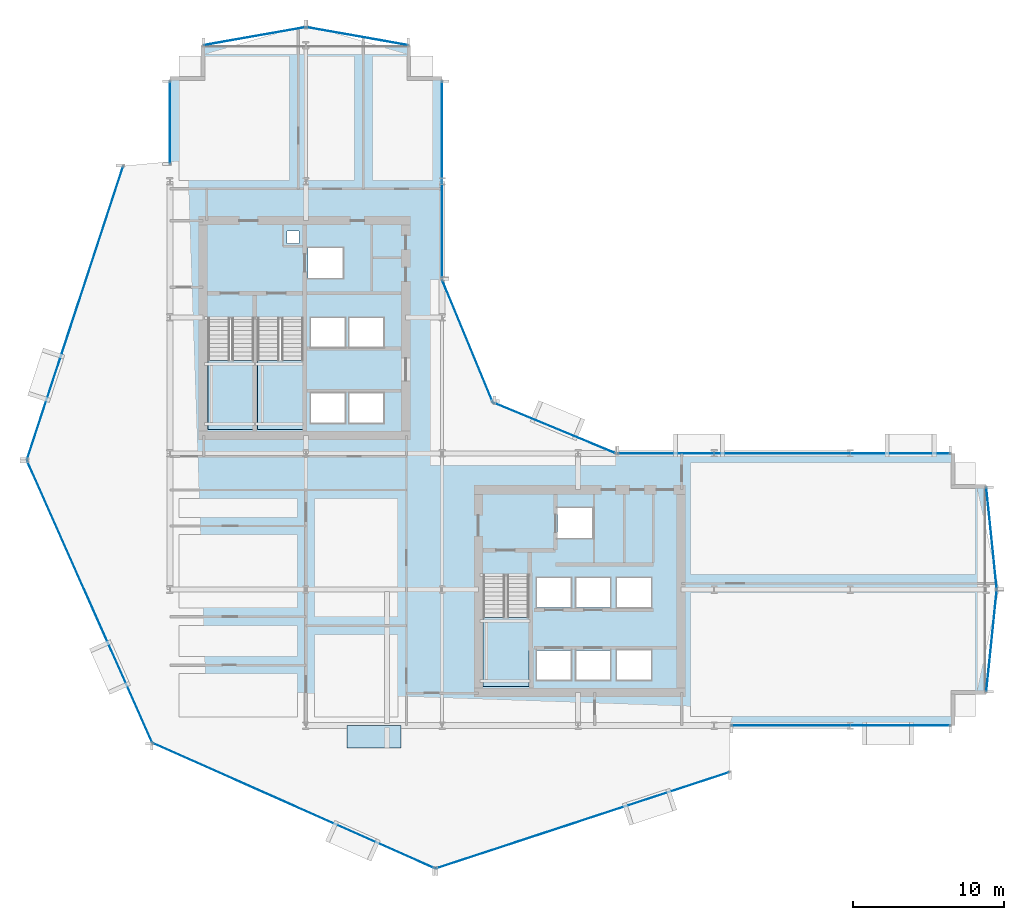
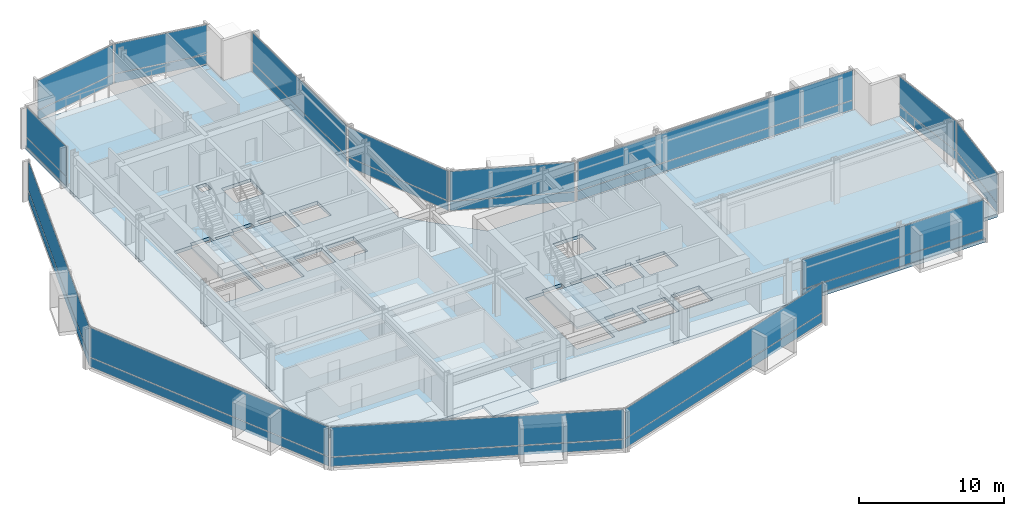
# One storey, part 26 of 34: 28 plates, 5 slabs, 17 elements without a shape of their own.
"""IFC4 building model written with IfcOpenShell, lengths in metres."""

from ifc_helpers import new_model, si_unit, direction, frame, origin, origin_2d, place, context, subcontext, project, spatial, polyline, rectangle, outline, extrude, material, layer, layer_set, type_object, element, aggregate, save


model = new_model("IFC4")

# Units and contexts
model_context = context("Model", 3, precision=1e-05, world=origin(), true_north=direction((0.0, 1.0)))
body_context = subcontext(model_context, "Body", "Model", "MODEL_VIEW")
ifc_project = project(units=[si_unit("LENGTHUNIT", "METRE"), si_unit("AREAUNIT", "SQUARE_METRE"), si_unit("VOLUMEUNIT", "CUBIC_METRE"), si_unit("PLANEANGLEUNIT", "RADIAN"), si_unit("MASSUNIT", "GRAM", prefix="KILO")], contexts=[model_context])

# Site, building, storey
site_placement = place(None, origin())
site = spatial("IfcSite", under=ifc_project, at=site_placement, CompositionType="ELEMENT")
building_placement = place(site_placement, origin())
building = spatial("IfcBuilding", under=site, at=building_placement, Name="Solvaryn Broadcast Tower", CompositionType="ELEMENT")
storey_placement = place(building_placement, frame((0.0, 0.0, 65.60009765625)))
storey = spatial("IfcBuildingStorey", under=building, at=storey_placement, Name="L15", CompositionType="ELEMENT", Elevation=65.60009765625)

# Curtain wall, plates
ifc_material_1 = material(Name="Aluminium and Terracotta Unitised Curtain Wall", Category="masonry")
ifc_layer_1 = layer(ifc_material_1, 0.199951171875)
ifc_layer_set_1 = layer_set([ifc_layer_1], Name="CW-SYS2-LOWMID")
curtain_wall_type = type_object("IfcCurtainWallType", Name="CW-SYS2-LOWMID", PredefinedType="NOTDEFINED", material=ifc_layer_set_1)
curtain_wall_1_placement = place(storey_placement, origin())
curtain_wall_1 = element("IfcCurtainWall", 1, at=curtain_wall_1_placement, inside=storey, type_object=curtain_wall_type, Name="L15 Curtain Wall DR1", PredefinedType="NOTDEFINED")
ifc_material_2 = material(Name="Low-Iron Insulated Vision Glass", Category="glass")
ifc_layer_2 = layer(ifc_material_2, 0.035888671875)
ifc_layer_set_2 = layer_set([ifc_layer_2], Name="CW-PNL-VISION")
plate_type = type_object("IfcPlateType", Name="CW-PNL-VISION", PredefinedType="CURTAIN_PANEL", material=ifc_layer_set_2)
plate_1_placement = place(storey_placement, frame((2.72607421875, 36.2880859375, 0.06005859375), z_axis=(0.0, 0.0, 1.0), x_axis=(-0.311594044587, -0.950215318429, 0.0)))
plate_1 = element("IfcPlate", 2, at=plate_1_placement, type_object=plate_type, Name="CWS2 panel 1.1", PredefinedType="CURTAIN_PANEL", context=body_context, shape_type="SweptSolid", body=[
    extrude(rectangle(XDim=20.35546875, YDim=0.028076171875, at=origin_2d()), origin(), (0.0, 0.0, 1.0), 0.760009765625),
])
plate_2_placement = place(storey_placement, frame((2.72607421875, 36.2880859375, 0.8798828125), z_axis=(0.0, 0.0, 1.0), x_axis=(-0.311594044587, -0.950215318429, 0.0)))
plate_2 = element("IfcPlate", 3, at=plate_2_placement, type_object=plate_type, Name="CWS2 panel 1.2", PredefinedType="CURTAIN_PANEL", context=body_context, shape_type="SweptSolid", body=[
    extrude(rectangle(XDim=20.35546875, YDim=0.028076171875, at=origin_2d()), origin(), (0.0, 0.0, 1.0), 2.47998046875),
])
aggregate(curtain_wall_1, [plate_1, plate_2])

curtain_wall_2_placement = place(storey_placement, origin())
curtain_wall_2 = element("IfcCurtainWall", 4, at=curtain_wall_2_placement, inside=storey, type_object=curtain_wall_type, Name="L15 Curtain Wall DR2", PredefinedType="NOTDEFINED")
plate_3_placement = place(storey_placement, frame((3.69140625, 17.20361328125, 0.06005859375), z_axis=(0.0, 0.0, 1.0), x_axis=(0.405898286554, -0.913918257271, 0.0)))
plate_3 = element("IfcPlate", 5, at=plate_3_placement, type_object=plate_type, Name="CWS2 panel 1.1", PredefinedType="CURTAIN_PANEL", context=body_context, shape_type="SweptSolid", body=[
    extrude(rectangle(XDim=20.35546875, YDim=0.028076171875, at=origin_2d()), origin(), (0.0, 0.0, 1.0), 0.760009765625),
])
plate_4_placement = place(storey_placement, frame((3.69140625, 17.20361328125, 0.8798828125), z_axis=(0.0, 0.0, 1.0), x_axis=(0.405898286554, -0.913918257271, 0.0)))
plate_4 = element("IfcPlate", 6, at=plate_4_placement, type_object=plate_type, Name="CWS2 panel 1.2", PredefinedType="CURTAIN_PANEL", context=body_context, shape_type="SweptSolid", body=[
    extrude(rectangle(XDim=20.35546875, YDim=0.028076171875, at=origin_2d()), origin(), (0.0, 0.0, 1.0), 2.47998046875),
])
aggregate(curtain_wall_2, [plate_3, plate_4])

curtain_wall_3_placement = place(storey_placement, origin())
curtain_wall_3 = element("IfcCurtainWall", 7, at=curtain_wall_3_placement, inside=storey, type_object=curtain_wall_type, Name="L15 Curtain Wall DR3", PredefinedType="NOTDEFINED")
plate_5_placement = place(storey_placement, frame((17.20361328125, 3.69140625, 0.06005859375), z_axis=(0.0, 0.0, 1.0), x_axis=(0.913918257271, -0.405898286554, 0.0)))
plate_5 = element("IfcPlate", 8, at=plate_5_placement, type_object=plate_type, Name="CWS2 panel 1.1", PredefinedType="CURTAIN_PANEL", context=body_context, shape_type="SweptSolid", body=[
    extrude(rectangle(XDim=20.35546875, YDim=0.028076171875, at=origin_2d()), origin(), (0.0, 0.0, 1.0), 0.760009765625),
])
plate_6_placement = place(storey_placement, frame((17.20361328125, 3.69140625, 0.8798828125), z_axis=(0.0, 0.0, 1.0), x_axis=(0.913918257271, -0.405898286554, 0.0)))
plate_6 = element("IfcPlate", 9, at=plate_6_placement, type_object=plate_type, Name="CWS2 panel 1.2", PredefinedType="CURTAIN_PANEL", context=body_context, shape_type="SweptSolid", body=[
    extrude(rectangle(XDim=20.35546875, YDim=0.028076171875, at=origin_2d()), origin(), (0.0, 0.0, 1.0), 2.47998046875),
])
aggregate(curtain_wall_3, [plate_5, plate_6])

curtain_wall_4_placement = place(storey_placement, origin())
curtain_wall_4 = element("IfcCurtainWall", 10, at=curtain_wall_4_placement, inside=storey, type_object=curtain_wall_type, Name="L15 Curtain Wall DR4", PredefinedType="NOTDEFINED")
plate_7_placement = place(storey_placement, frame((36.2880859375, 2.72607421875, 0.06005859375), z_axis=(0.0, 0.0, 1.0), x_axis=(0.950215318429, 0.311594044587, 0.0)))
plate_7 = element("IfcPlate", 11, at=plate_7_placement, type_object=plate_type, Name="CWS2 panel 1.1", PredefinedType="CURTAIN_PANEL", context=body_context, shape_type="SweptSolid", body=[
    extrude(rectangle(XDim=20.35546875, YDim=0.028076171875, at=origin_2d()), origin(), (0.0, 0.0, 1.0), 0.760009765625),
])
plate_8_placement = place(storey_placement, frame((36.2880859375, 2.72607421875, 0.8798828125), z_axis=(0.0, 0.0, 1.0), x_axis=(0.950215318429, 0.311594044587, 0.0)))
plate_8 = element("IfcPlate", 12, at=plate_8_placement, type_object=plate_type, Name="CWS2 panel 1.2", PredefinedType="CURTAIN_PANEL", context=body_context, shape_type="SweptSolid", body=[
    extrude(rectangle(XDim=20.35546875, YDim=0.028076171875, at=origin_2d()), origin(), (0.0, 0.0, 1.0), 2.47998046875),
])
aggregate(curtain_wall_4, [plate_7, plate_8])

curtain_wall_5_placement = place(storey_placement, origin())
curtain_wall_5 = element("IfcCurtainWall", 13, at=curtain_wall_5_placement, inside=storey, type_object=curtain_wall_type, Name="L15 Curtain Wall W2", PredefinedType="NOTDEFINED")
plate_9_placement = place(storey_placement, frame((9.0, 48.883056640625, 0.06005859375), z_axis=(0.0, 0.0, 1.0), x_axis=(0.0, 1.0, 0.0)))
plate_9 = element("IfcPlate", 14, at=plate_9_placement, type_object=plate_type, Name="CWS2 panel 1.1", PredefinedType="CURTAIN_PANEL", context=body_context, shape_type="SweptSolid", body=[
    extrude(rectangle(XDim=5.4140625, YDim=0.028076171875, at=origin_2d()), origin(), (0.0, 0.0, 1.0), 0.760009765625),
])
plate_10_placement = place(storey_placement, frame((9.0, 48.883056640625, 0.8798828125), z_axis=(0.0, 0.0, 1.0), x_axis=(0.0, 1.0, 0.0)))
plate_10 = element("IfcPlate", 15, at=plate_10_placement, type_object=plate_type, Name="CWS2 panel 1.2", PredefinedType="CURTAIN_PANEL", context=body_context, shape_type="SweptSolid", body=[
    extrude(rectangle(XDim=5.4140625, YDim=0.028076171875, at=origin_2d()), origin(), (0.0, 0.0, 1.0), 2.47998046875),
])
aggregate(curtain_wall_5, [plate_9, plate_10])

curtain_wall_6_placement = place(storey_placement, origin())
curtain_wall_6 = element("IfcCurtainWall", 16, at=curtain_wall_6_placement, inside=storey, type_object=curtain_wall_type, Name="L15 Curtain Wall IV", PredefinedType="NOTDEFINED")
plate_11_placement = place(storey_placement, frame((27.0, 45.125, 0.06005859375), z_axis=(0.0, 0.0, 1.0), x_axis=(0.0, -1.0, 0.0)))
plate_11 = element("IfcPlate", 17, at=plate_11_placement, type_object=plate_type, Name="CWS2 panel 1.1", PredefinedType="CURTAIN_PANEL", context=body_context, shape_type="SweptSolid", body=[
    extrude(rectangle(XDim=12.929931640625, YDim=0.028076171875, at=origin_2d()), origin(), (0.0, 0.0, 1.0), 0.760009765625),
])
plate_12_placement = place(storey_placement, frame((27.0, 45.125, 0.8798828125), z_axis=(0.0, 0.0, 1.0), x_axis=(0.0, -1.0, 0.0)))
plate_12 = element("IfcPlate", 18, at=plate_12_placement, type_object=plate_type, Name="CWS2 panel 1.2", PredefinedType="CURTAIN_PANEL", context=body_context, shape_type="SweptSolid", body=[
    extrude(rectangle(XDim=12.929931640625, YDim=0.028076171875, at=origin_2d()), origin(), (0.0, 0.0, 1.0), 2.47998046875),
])
aggregate(curtain_wall_6, [plate_11, plate_12])

curtain_wall_7_placement = place(storey_placement, origin())
curtain_wall_7 = element("IfcCurtainWall", 19, at=curtain_wall_7_placement, inside=storey, type_object=curtain_wall_type, Name="L15 Curtain Wall CN1", PredefinedType="NOTDEFINED")
plate_13_placement = place(storey_placement, frame((34.43408203125, 28.68408203125, 0.06005859375), z_axis=(0.0, 0.0, 1.0), x_axis=(-0.923894983957, 0.382646127145, 0.0)))
plate_13 = element("IfcPlate", 20, at=plate_13_placement, type_object=plate_type, Name="CWS2 panel 1.1", PredefinedType="CURTAIN_PANEL", context=body_context, shape_type="SweptSolid", body=[
    extrude(rectangle(XDim=8.681884765625, YDim=0.028076171875, at=origin_2d()), origin(), (0.0, 0.0, 1.0), 0.760009765625),
])
plate_14_placement = place(storey_placement, frame((34.43408203125, 28.68408203125, 0.8798828125), z_axis=(0.0, 0.0, 1.0), x_axis=(-0.923894983957, 0.382646127145, 0.0)))
plate_14 = element("IfcPlate", 21, at=plate_14_placement, type_object=plate_type, Name="CWS2 panel 1.2", PredefinedType="CURTAIN_PANEL", context=body_context, shape_type="SweptSolid", body=[
    extrude(rectangle(XDim=8.681884765625, YDim=0.028076171875, at=origin_2d()), origin(), (0.0, 0.0, 1.0), 2.47998046875),
])
aggregate(curtain_wall_7, [plate_13, plate_14])

curtain_wall_8_placement = place(storey_placement, origin())
curtain_wall_8 = element("IfcCurtainWall", 22, at=curtain_wall_8_placement, inside=storey, type_object=curtain_wall_type, Name="L15 Curtain Wall CN2", PredefinedType="NOTDEFINED")
plate_15_placement = place(storey_placement, frame((28.68408203125, 34.43408203125, 0.06005859375), z_axis=(0.0, 0.0, 1.0), x_axis=(-0.382646127145, 0.923894983957, 0.0)))
plate_15 = element("IfcPlate", 23, at=plate_15_placement, type_object=plate_type, Name="CWS2 panel 1.1", PredefinedType="CURTAIN_PANEL", context=body_context, shape_type="SweptSolid", body=[
    extrude(rectangle(XDim=8.681884765625, YDim=0.028076171875, at=origin_2d()), origin(), (0.0, 0.0, 1.0), 0.760009765625),
])
plate_16_placement = place(storey_placement, frame((28.68408203125, 34.43408203125, 0.8798828125), z_axis=(0.0, 0.0, 1.0), x_axis=(-0.382646127145, 0.923894983957, 0.0)))
plate_16 = element("IfcPlate", 24, at=plate_16_placement, type_object=plate_type, Name="CWS2 panel 1.2", PredefinedType="CURTAIN_PANEL", context=body_context, shape_type="SweptSolid", body=[
    extrude(rectangle(XDim=8.681884765625, YDim=0.028076171875, at=origin_2d()), origin(), (0.0, 0.0, 1.0), 2.47998046875),
])
aggregate(curtain_wall_8, [plate_15, plate_16])

curtain_wall_9_placement = place(storey_placement, origin())
curtain_wall_9 = element("IfcCurtainWall", 25, at=curtain_wall_9_placement, inside=storey, type_object=curtain_wall_type, Name="L15 Curtain Wall S2", PredefinedType="NOTDEFINED")
plate_17_placement = place(storey_placement, frame((53.383056640625, 9.0, 0.06005859375), z_axis=(0.0, 0.0, 1.0), x_axis=(1.0, 0.0, 0.0)))
plate_17 = element("IfcPlate", 26, at=plate_17_placement, type_object=plate_type, Name="CWS2 panel 1.1", PredefinedType="CURTAIN_PANEL", context=body_context, shape_type="SweptSolid", body=[
    extrude(rectangle(XDim=14.4140625, YDim=0.028076171875, at=origin_2d()), origin(), (0.0, 0.0, 1.0), 0.760009765625),
])
plate_18_placement = place(storey_placement, frame((53.383056640625, 9.0, 0.8798828125), z_axis=(0.0, 0.0, 1.0), x_axis=(1.0, 0.0, 0.0)))
plate_18 = element("IfcPlate", 27, at=plate_18_placement, type_object=plate_type, Name="CWS2 panel 1.2", PredefinedType="CURTAIN_PANEL", context=body_context, shape_type="SweptSolid", body=[
    extrude(rectangle(XDim=14.4140625, YDim=0.028076171875, at=origin_2d()), origin(), (0.0, 0.0, 1.0), 2.47998046875),
])
aggregate(curtain_wall_9, [plate_17, plate_18])

curtain_wall_10_placement = place(storey_placement, origin())
curtain_wall_10 = element("IfcCurtainWall", 28, at=curtain_wall_10_placement, inside=storey, type_object=curtain_wall_type, Name="L15 Curtain Wall NT1", PredefinedType="NOTDEFINED")
plate_19_placement = place(storey_placement, frame((21.39990234375, 54.60009765625, 0.06005859375), z_axis=(0.0, 0.0, 1.0), x_axis=(-0.984783558819, 0.173785333901, 0.0)))
plate_19 = element("IfcPlate", 29, at=plate_19_placement, type_object=plate_type, Name="CWS2 panel 1.1", PredefinedType="CURTAIN_PANEL", context=body_context, shape_type="SweptSolid", body=[
    extrude(rectangle(XDim=6.78515625, YDim=0.028076171875, at=origin_2d()), origin(), (0.0, 0.0, 1.0), 0.760009765625),
])
plate_20_placement = place(storey_placement, frame((21.39990234375, 54.60009765625, 0.8798828125), z_axis=(0.0, 0.0, 1.0), x_axis=(-0.984783558819, 0.173785333901, 0.0)))
plate_20 = element("IfcPlate", 30, at=plate_20_placement, type_object=plate_type, Name="CWS2 panel 1.2", PredefinedType="CURTAIN_PANEL", context=body_context, shape_type="SweptSolid", body=[
    extrude(rectangle(XDim=6.78515625, YDim=0.028076171875, at=origin_2d()), origin(), (0.0, 0.0, 1.0), 2.47998046875),
])
aggregate(curtain_wall_10, [plate_19, plate_20])

curtain_wall_11_placement = place(storey_placement, origin())
curtain_wall_11 = element("IfcCurtainWall", 31, at=curtain_wall_11_placement, inside=storey, type_object=curtain_wall_type, Name="L15 Curtain Wall NT2", PredefinedType="NOTDEFINED")
plate_21_placement = place(storey_placement, frame((14.60009765625, 54.60009765625, 0.06005859375), z_axis=(0.0, 0.0, 1.0), x_axis=(-0.984783558819, -0.173785333901, 0.0)))
plate_21 = element("IfcPlate", 32, at=plate_21_placement, type_object=plate_type, Name="CWS2 panel 1.1", PredefinedType="CURTAIN_PANEL", context=body_context, shape_type="SweptSolid", body=[
    extrude(rectangle(XDim=6.78515625, YDim=0.028076171875, at=origin_2d()), origin(), (0.0, 0.0, 1.0), 0.760009765625),
])
plate_22_placement = place(storey_placement, frame((14.60009765625, 54.60009765625, 0.8798828125), z_axis=(0.0, 0.0, 1.0), x_axis=(-0.984783558819, -0.173785333901, 0.0)))
plate_22 = element("IfcPlate", 33, at=plate_22_placement, type_object=plate_type, Name="CWS2 panel 1.2", PredefinedType="CURTAIN_PANEL", context=body_context, shape_type="SweptSolid", body=[
    extrude(rectangle(XDim=6.78515625, YDim=0.028076171875, at=origin_2d()), origin(), (0.0, 0.0, 1.0), 2.47998046875),
])
aggregate(curtain_wall_11, [plate_21, plate_22])

curtain_wall_12_placement = place(storey_placement, origin())
curtain_wall_12 = element("IfcCurtainWall", 34, at=curtain_wall_12_placement, inside=storey, type_object=curtain_wall_type, Name="L15 Curtain Wall ET1", PredefinedType="NOTDEFINED")
plate_23_placement = place(storey_placement, frame((63.35009765625, 21.39990234375, 0.06005859375), z_axis=(0.0, 0.0, 1.0), x_axis=(0.10240004548, -0.99474329889, 0.0)))
plate_23 = element("IfcPlate", 35, at=plate_23_placement, type_object=plate_type, Name="CWS2 panel 1.1", PredefinedType="CURTAIN_PANEL", context=body_context, shape_type="SweptSolid", body=[
    extrude(rectangle(XDim=6.7158203125, YDim=0.028076171875, at=origin_2d()), origin(), (0.0, 0.0, 1.0), 0.760009765625),
])
plate_24_placement = place(storey_placement, frame((63.35009765625, 21.39990234375, 0.8798828125), z_axis=(0.0, 0.0, 1.0), x_axis=(0.10240004548, -0.99474329889, 0.0)))
plate_24 = element("IfcPlate", 36, at=plate_24_placement, type_object=plate_type, Name="CWS2 panel 1.2", PredefinedType="CURTAIN_PANEL", context=body_context, shape_type="SweptSolid", body=[
    extrude(rectangle(XDim=6.7158203125, YDim=0.028076171875, at=origin_2d()), origin(), (0.0, 0.0, 1.0), 2.47998046875),
])
aggregate(curtain_wall_12, [plate_23, plate_24])

curtain_wall_13_placement = place(storey_placement, origin())
curtain_wall_13 = element("IfcCurtainWall", 37, at=curtain_wall_13_placement, inside=storey, type_object=curtain_wall_type, Name="L15 Curtain Wall ET2", PredefinedType="NOTDEFINED")
plate_25_placement = place(storey_placement, frame((63.35009765625, 14.60009765625, 0.06005859375), z_axis=(0.0, 0.0, 1.0), x_axis=(-0.10240004548, -0.99474329889, 0.0)))
plate_25 = element("IfcPlate", 38, at=plate_25_placement, type_object=plate_type, Name="CWS2 panel 1.1", PredefinedType="CURTAIN_PANEL", context=body_context, shape_type="SweptSolid", body=[
    extrude(rectangle(XDim=6.7158203125, YDim=0.028076171875, at=origin_2d()), origin(), (0.0, 0.0, 1.0), 0.760009765625),
])
plate_26_placement = place(storey_placement, frame((63.35009765625, 14.60009765625, 0.8798828125), z_axis=(0.0, 0.0, 1.0), x_axis=(-0.10240004548, -0.99474329889, 0.0)))
plate_26 = element("IfcPlate", 39, at=plate_26_placement, type_object=plate_type, Name="CWS2 panel 1.2", PredefinedType="CURTAIN_PANEL", context=body_context, shape_type="SweptSolid", body=[
    extrude(rectangle(XDim=6.7158203125, YDim=0.028076171875, at=origin_2d()), origin(), (0.0, 0.0, 1.0), 2.47998046875),
])
aggregate(curtain_wall_13, [plate_25, plate_26])

curtain_wall_14_placement = place(storey_placement, origin())
curtain_wall_14 = element("IfcCurtainWall", 40, at=curtain_wall_14_placement, inside=storey, type_object=curtain_wall_type, Name="L15 Curtain Wall IH", PredefinedType="NOTDEFINED")
plate_27_placement = place(storey_placement, frame((49.625, 27.0, 0.06005859375), z_axis=(0.0, 0.0, 1.0), x_axis=(1.0, 0.0, 0.0)))
plate_27 = element("IfcPlate", 41, at=plate_27_placement, type_object=plate_type, Name="CWS2 panel 1.1", PredefinedType="CURTAIN_PANEL", context=body_context, shape_type="SweptSolid", body=[
    extrude(rectangle(XDim=21.929931640625, YDim=0.028076171875, at=origin_2d()), origin(), (0.0, 0.0, 1.0), 0.760009765625),
])
plate_28_placement = place(storey_placement, frame((49.625, 27.0, 0.8798828125), z_axis=(0.0, 0.0, 1.0), x_axis=(1.0, 0.0, 0.0)))
plate_28 = element("IfcPlate", 42, at=plate_28_placement, type_object=plate_type, Name="CWS2 panel 1.2", PredefinedType="CURTAIN_PANEL", context=body_context, shape_type="SweptSolid", body=[
    extrude(rectangle(XDim=21.929931640625, YDim=0.028076171875, at=origin_2d()), origin(), (0.0, 0.0, 1.0), 2.47998046875),
])
aggregate(curtain_wall_14, [plate_27, plate_28])

# Slab
ifc_material_3 = material(Name="Concrete f'c 60 MPa", Category="concrete")
ifc_layer_3 = layer(ifc_material_3, 0.2099609375)
ifc_layer_set_3 = layer_set([ifc_layer_3], Name="SL-BAYBOX-210")
slab_type_1 = type_object("IfcSlabType", Name="SL-BAYBOX-210", PredefinedType="FLOOR", material=ifc_layer_set_3)
slab_1_placement = place(storey_placement, frame((0.0, 0.0, -0.210205078125)))
element("IfcSlab", 43, at=slab_1_placement, inside=storey, type_object=slab_type_1, Name="L15 Projecting Bay-Box Slab 1", PredefinedType="FLOOR", context=body_context, shape_type="SweptSolid", body=[
    extrude(outline(polyline([(20.699951171875, 7.5), (24.300048828125, 7.5), (24.300048828125, 9.0), (20.699951171875, 9.0), (20.699951171875, 7.5)])), origin(), (0.0, 0.0, 1.0), 0.210205078125),
])

# Stair, slab
ifc_material_4 = material(Name="Concrete f'c 60 MPa", Category="concrete")
stair_type = type_object("IfcStairType", Name="ST-CORE", PredefinedType="HALF_TURN_STAIR", material=ifc_material_4)
stair_1_placement = place(storey_placement, origin())
stair_1 = element("IfcStair", 44, at=stair_1_placement, inside=storey, type_object=stair_type, Name="L15 ST1", PredefinedType="HALF_TURN_STAIR")
ifc_material_5 = material(Name="Concrete f'c 60 MPa", Category="concrete")
ifc_layer_4 = layer(ifc_material_5, 0.199951171875)
ifc_layer_set_4 = layer_set([ifc_layer_4], Name="SL-LANDING-200")
slab_type_2 = type_object("IfcSlabType", Name="SL-LANDING-200", PredefinedType="LANDING", material=ifc_layer_set_4)
slab_2_placement = place(storey_placement, frame((0.0, 0.0, 1.64990234375)))
slab_2 = element("IfcSlab", 45, at=slab_2_placement, type_object=slab_type_2, Name="ST1 landing 1", PredefinedType="LANDING", context=body_context, shape_type="SweptSolid", body=[
    extrude(outline(polyline([(11.52001953125, 33.159912109375), (11.52001953125, 28.60009765625), (14.550048828125, 28.60009765625), (14.550048828125, 33.159912109375), (11.52001953125, 33.159912109375)])), origin(), (0.0, 0.0, 1.0), 0.199951171875),
])
aggregate(stair_1, [slab_2])

stair_2_placement = place(storey_placement, origin())
stair_2 = element("IfcStair", 46, at=stair_2_placement, inside=storey, type_object=stair_type, Name="L15 ST2", PredefinedType="HALF_TURN_STAIR")
slab_3_placement = place(storey_placement, frame((0.0, 0.0, 1.64990234375)))
slab_3 = element("IfcSlab", 47, at=slab_3_placement, type_object=slab_type_2, Name="ST2 landing 1", PredefinedType="LANDING", context=body_context, shape_type="SweptSolid", body=[
    extrude(outline(polyline([(14.800048828125, 33.159912109375), (14.800048828125, 28.60009765625), (17.830078125, 28.60009765625), (17.830078125, 33.159912109375), (14.800048828125, 33.159912109375)])), origin(), (0.0, 0.0, 1.0), 0.199951171875),
])
aggregate(stair_2, [slab_3])

stair_3_placement = place(storey_placement, origin())
stair_3 = element("IfcStair", 48, at=stair_3_placement, inside=storey, type_object=stair_type, Name="L15 ST3", PredefinedType="HALF_TURN_STAIR")
slab_4_placement = place(storey_placement, frame((0.0, 0.0, 1.64990234375)))
slab_4 = element("IfcSlab", 49, at=slab_4_placement, type_object=slab_type_2, Name="ST3 landing 1", PredefinedType="LANDING", context=body_context, shape_type="SweptSolid", body=[
    extrude(outline(polyline([(29.719970703125, 16.159912109375), (29.719970703125, 11.60009765625), (32.75, 11.60009765625), (32.75, 16.159912109375), (29.719970703125, 16.159912109375)])), origin(), (0.0, 0.0, 1.0), 0.199951171875),
])
aggregate(stair_3, [slab_4])

# Slab
ifc_material_6 = material(Name="Concrete f'c 60 MPa", Category="concrete")
ifc_layer_5 = layer(ifc_material_6, 0.280029296875)
ifc_layer_set_5 = layer_set([ifc_layer_5], Name="SL-TWR-280")
slab_type_3 = type_object("IfcSlabType", Name="SL-TWR-280", PredefinedType="FLOOR", material=ifc_layer_set_5)
slab_5_placement = place(storey_placement, frame((0.0, 0.0, -0.280029296875)))
element("IfcSlab", 50, at=slab_5_placement, inside=storey, type_object=slab_type_3, Name="L15 Structural Floor Slab", PredefinedType="FLOOR", context=body_context, shape_type="SweptSolid", body=[
    extrude(outline(polyline([(11.199951171875, 9.0), (60.800048828125, 9.0), (60.800048828125, 11.199951171875), (63.0, 11.199951171875), (63.0, 24.800048828125), (60.800048828125, 24.800048828125), (60.800048828125, 27.0), (31.5, 27.0), (27.0, 31.5), (27.0, 51.800048828125), (24.800048828125, 51.800048828125), (24.800048828125, 54.0), (11.199951171875, 54.0), (11.199951171875, 51.800048828125), (9.0, 51.800048828125), (9.0, 11.199951171875), (11.199951171875, 11.199951171875), (11.199951171875, 9.0)]), holes=[polyline([(11.52001953125, 28.60009765625), (14.550048828125, 28.60009765625), (14.550048828125, 35.9599609375), (12.97998046875, 35.9599609375), (12.97998046875, 35.679931640625), (11.52001953125, 35.679931640625), (11.52001953125, 28.60009765625)]), polyline([(14.800048828125, 28.60009765625), (17.830078125, 28.60009765625), (17.830078125, 35.9599609375), (16.260009765625, 35.9599609375), (16.260009765625, 35.679931640625), (14.800048828125, 35.679931640625), (14.800048828125, 28.60009765625)]), polyline([(29.719970703125, 11.60009765625), (32.75, 11.60009765625), (32.75, 18.9599609375), (31.179931640625, 18.9599609375), (31.179931640625, 18.679931640625), (29.719970703125, 18.679931640625), (29.719970703125, 11.60009765625)]), polyline([(18.14990234375, 38.60009765625), (20.449951171875, 38.60009765625), (20.449951171875, 40.60009765625), (18.14990234375, 40.60009765625), (18.14990234375, 38.60009765625)]), polyline([(18.324951171875, 29.02490234375), (20.574951171875, 29.02490234375), (20.574951171875, 30.97509765625), (18.324951171875, 30.97509765625), (18.324951171875, 29.02490234375)]), polyline([(20.875, 29.02490234375), (23.125, 29.02490234375), (23.125, 30.97509765625), (20.875, 30.97509765625), (20.875, 29.02490234375)]), polyline([(18.324951171875, 34.02490234375), (20.574951171875, 34.02490234375), (20.574951171875, 35.97509765625), (18.324951171875, 35.97509765625), (18.324951171875, 34.02490234375)]), polyline([(20.875, 34.02490234375), (23.125, 34.02490234375), (23.125, 35.97509765625), (20.875, 35.97509765625), (20.875, 34.02490234375)]), polyline([(34.64990234375, 21.39990234375), (36.949951171875, 21.39990234375), (36.949951171875, 23.39990234375), (34.64990234375, 23.39990234375), (34.64990234375, 21.39990234375)]), polyline([(33.27490234375, 12.02490234375), (35.52490234375, 12.02490234375), (35.52490234375, 13.97509765625), (33.27490234375, 13.97509765625), (33.27490234375, 12.02490234375)]), polyline([(35.875, 12.02490234375), (38.125, 12.02490234375), (38.125, 13.97509765625), (35.875, 13.97509765625), (35.875, 12.02490234375)]), polyline([(33.27490234375, 16.824951171875), (35.52490234375, 16.824951171875), (35.52490234375, 18.77490234375), (33.27490234375, 18.77490234375), (33.27490234375, 16.824951171875)]), polyline([(35.875, 16.824951171875), (38.125, 16.824951171875), (38.125, 18.77490234375), (35.875, 18.77490234375), (35.875, 16.824951171875)]), polyline([(38.574951171875, 12.02490234375), (40.824951171875, 12.02490234375), (40.824951171875, 13.97509765625), (38.574951171875, 13.97509765625), (38.574951171875, 12.02490234375)]), polyline([(38.574951171875, 16.824951171875), (40.824951171875, 16.824951171875), (40.824951171875, 18.77490234375), (38.574951171875, 18.77490234375), (38.574951171875, 16.824951171875)]), polyline([(16.75, 40.89990234375), (17.550048828125, 40.89990234375), (17.550048828125, 41.699951171875), (16.75, 41.699951171875), (16.75, 40.89990234375)])]), origin(), (0.0, 0.0, 1.0), 0.280029296875),
])

save(model, "model.ifc")
